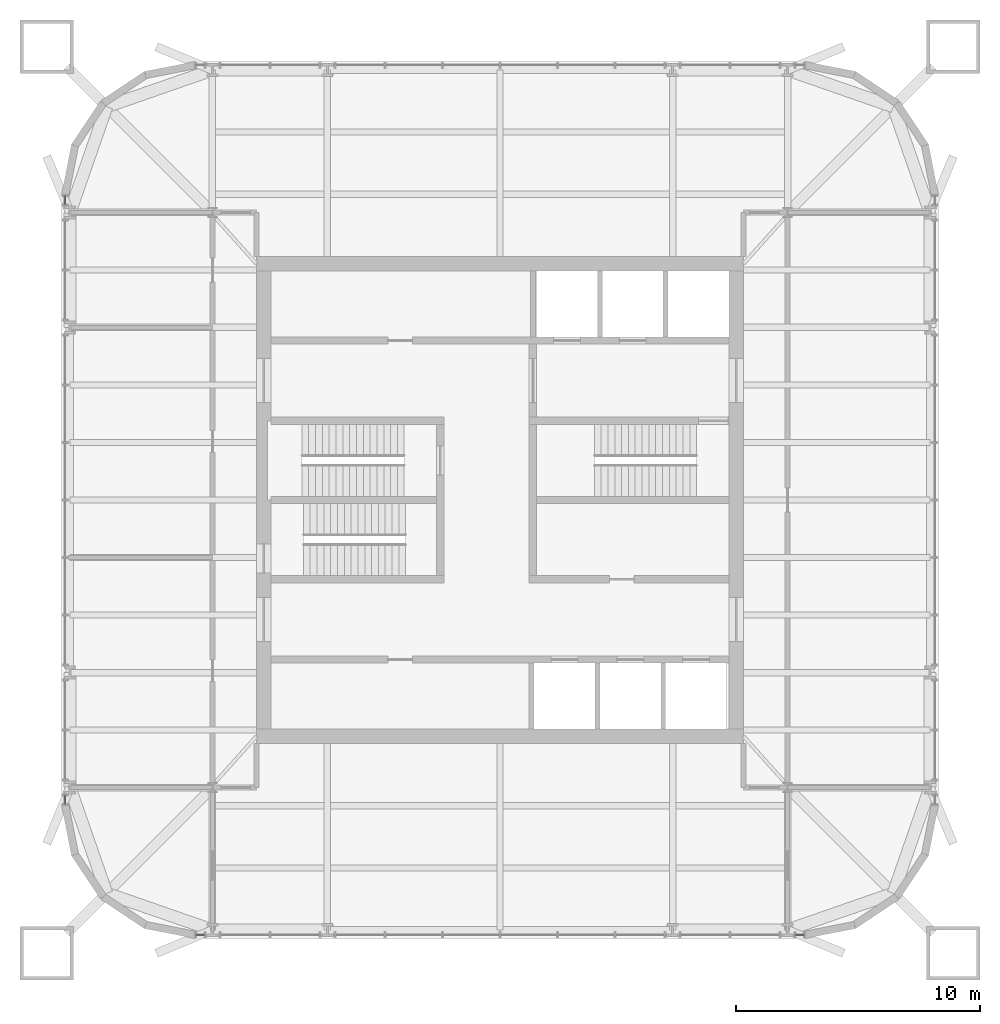
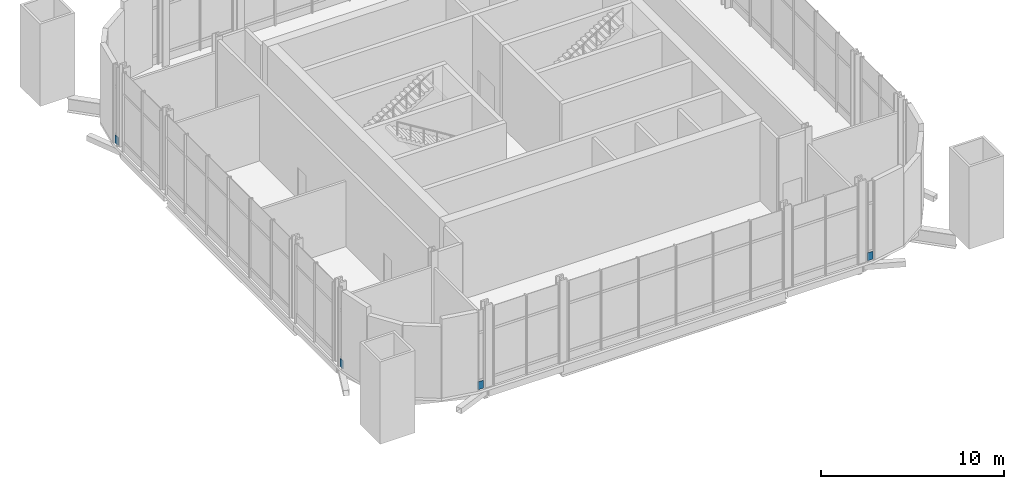
# One storey, part 13 of 17: 4 plates, 4 elements without a shape of their own.
"""IFC4 building model written with IfcOpenShell, lengths in metres."""

from ifc_helpers import new_model, si_unit, direction, frame, origin, origin_2d, place, context, subcontext, project, spatial, rectangle, extrude, material, layer, layer_set, type_object, element, aggregate, save


model = new_model("IFC4")

# Units and contexts
model_context = context("Model", 3, precision=1e-05, world=origin(), true_north=direction((0.0, 1.0)))
body_context = subcontext(model_context, "Body", "Model", "MODEL_VIEW")
ifc_project = project(units=[si_unit("LENGTHUNIT", "METRE"), si_unit("AREAUNIT", "SQUARE_METRE"), si_unit("VOLUMEUNIT", "CUBIC_METRE"), si_unit("PLANEANGLEUNIT", "RADIAN"), si_unit("MASSUNIT", "GRAM", prefix="KILO")], contexts=[model_context])

# Site, building, storey
site_placement = place(None, origin())
site = spatial("IfcSite", under=ifc_project, at=site_placement, CompositionType="ELEMENT")
building_placement = place(site_placement, origin())
building = spatial("IfcBuilding", under=site, at=building_placement, Name="Turquesa Mirador Hotel Tower", CompositionType="ELEMENT")
storey_placement = place(building_placement, frame((0.0, 0.0, 266.699951171875)))
storey = spatial("IfcBuildingStorey", under=building, at=storey_placement, Name="L72", CompositionType="ELEMENT", Elevation=266.699951171875)

# Curtain wall, plate
ifc_material_1 = material(Name="Aluminium extrusion", Category="aluminium")
curtain_wall_type = type_object("IfcCurtainWallType", Name="CW-6 OBSERVATION CURTAIN WALL", PredefinedType="USERDEFINED", material=ifc_material_1)
curtain_wall_1_placement = place(storey_placement, origin())
curtain_wall_1 = element("IfcCurtainWall", 1, at=curtain_wall_1_placement, inside=storey, type_object=curtain_wall_type, Name="CW-6 OBSERVATION CURTAIN WALL L72", ObjectType="CURTAIN WALL", PredefinedType="USERDEFINED")
ifc_material_2 = material(Name="Ceramic-printed spandrel glass on an insulated back pan", Category="glass")
ifc_layer = layer(ifc_material_2, 0.050048828125)
ifc_layer_set = layer_set([ifc_layer], Name="CW PANEL SPANDREL CERAMIC")
plate_type = type_object("IfcPlateType", Name="CW PANEL SPANDREL CERAMIC", PredefinedType="CURTAIN_PANEL", material=ifc_layer_set)
plate_1_placement = place(storey_placement, frame((37.14990234375, 57.300048828125, 0.0), z_axis=(0.0, 0.0, 1.0), x_axis=(0.0, -1.0, 0.0)))
plate_1 = element("IfcPlate", 2, at=plate_1_placement, type_object=plate_type, Name="Panel", PredefinedType="CURTAIN_PANEL", context=body_context, shape_type="SweptSolid", body=[
    extrude(rectangle(XDim=0.3349609375, YDim=0.050048828125, at=origin_2d()), origin(), (0.0, 0.0, 1.0), 0.52490234375),
])
aggregate(curtain_wall_1, [plate_1])

curtain_wall_2_placement = place(storey_placement, origin())
curtain_wall_2 = element("IfcCurtainWall", 3, at=curtain_wall_2_placement, inside=storey, type_object=curtain_wall_type, Name="CW-6 OBSERVATION CURTAIN WALL L72", ObjectType="CURTAIN WALL", PredefinedType="USERDEFINED")
plate_2_placement = place(storey_placement, frame((37.14990234375, 32.699951171875, 0.0), z_axis=(0.0, 0.0, 1.0), x_axis=(0.0, -1.0, 0.0)))
plate_2 = element("IfcPlate", 4, at=plate_2_placement, type_object=plate_type, Name="Panel", PredefinedType="CURTAIN_PANEL", context=body_context, shape_type="SweptSolid", body=[
    extrude(rectangle(XDim=0.3349609375, YDim=0.050048828125, at=origin_2d()), origin(), (0.0, 0.0, 1.0), 0.52490234375),
])
aggregate(curtain_wall_2, [plate_2])

curtain_wall_3_placement = place(storey_placement, origin())
curtain_wall_3 = element("IfcCurtainWall", 5, at=curtain_wall_3_placement, inside=storey, type_object=curtain_wall_type, Name="CW-6 OBSERVATION CURTAIN WALL L72", ObjectType="CURTAIN WALL", PredefinedType="USERDEFINED")
plate_3_placement = place(storey_placement, frame((42.699951171875, 27.14990234375, 0.0), z_axis=(0.0, 0.0, 1.0), x_axis=(1.0, 0.0, 0.0)))
plate_3 = element("IfcPlate", 6, at=plate_3_placement, type_object=plate_type, Name="Panel", PredefinedType="CURTAIN_PANEL", context=body_context, shape_type="SweptSolid", body=[
    extrude(rectangle(XDim=0.3349609375, YDim=0.050048828125, at=origin_2d()), origin(), (0.0, 0.0, 1.0), 0.52490234375),
])
aggregate(curtain_wall_3, [plate_3])

curtain_wall_4_placement = place(storey_placement, origin())
curtain_wall_4 = element("IfcCurtainWall", 7, at=curtain_wall_4_placement, inside=storey, type_object=curtain_wall_type, Name="CW-6 OBSERVATION CURTAIN WALL L72", ObjectType="CURTAIN WALL", PredefinedType="USERDEFINED")
plate_4_placement = place(storey_placement, frame((67.300048828125, 27.14990234375, 0.0), z_axis=(0.0, 0.0, 1.0), x_axis=(1.0, 0.0, 0.0)))
plate_4 = element("IfcPlate", 8, at=plate_4_placement, type_object=plate_type, Name="Panel", PredefinedType="CURTAIN_PANEL", context=body_context, shape_type="SweptSolid", body=[
    extrude(rectangle(XDim=0.3349609375, YDim=0.050048828125, at=origin_2d()), origin(), (0.0, 0.0, 1.0), 0.52490234375),
])
aggregate(curtain_wall_4, [plate_4])

save(model, "model.ifc")
